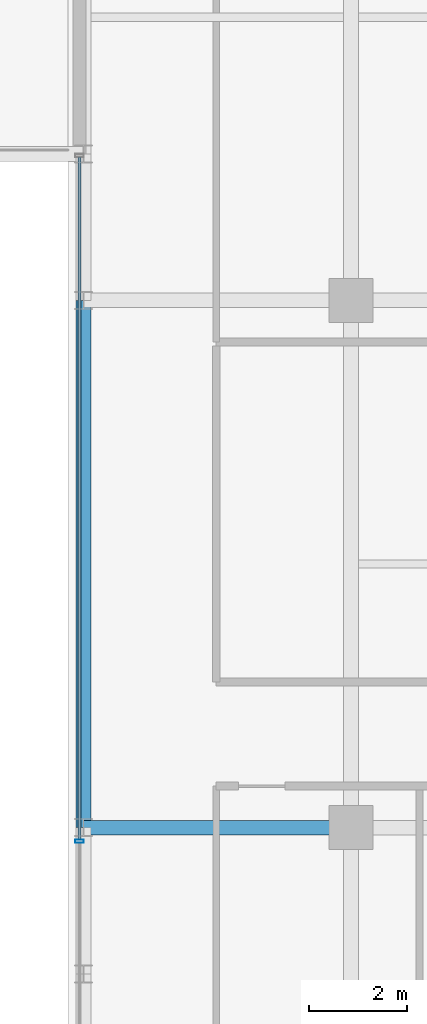
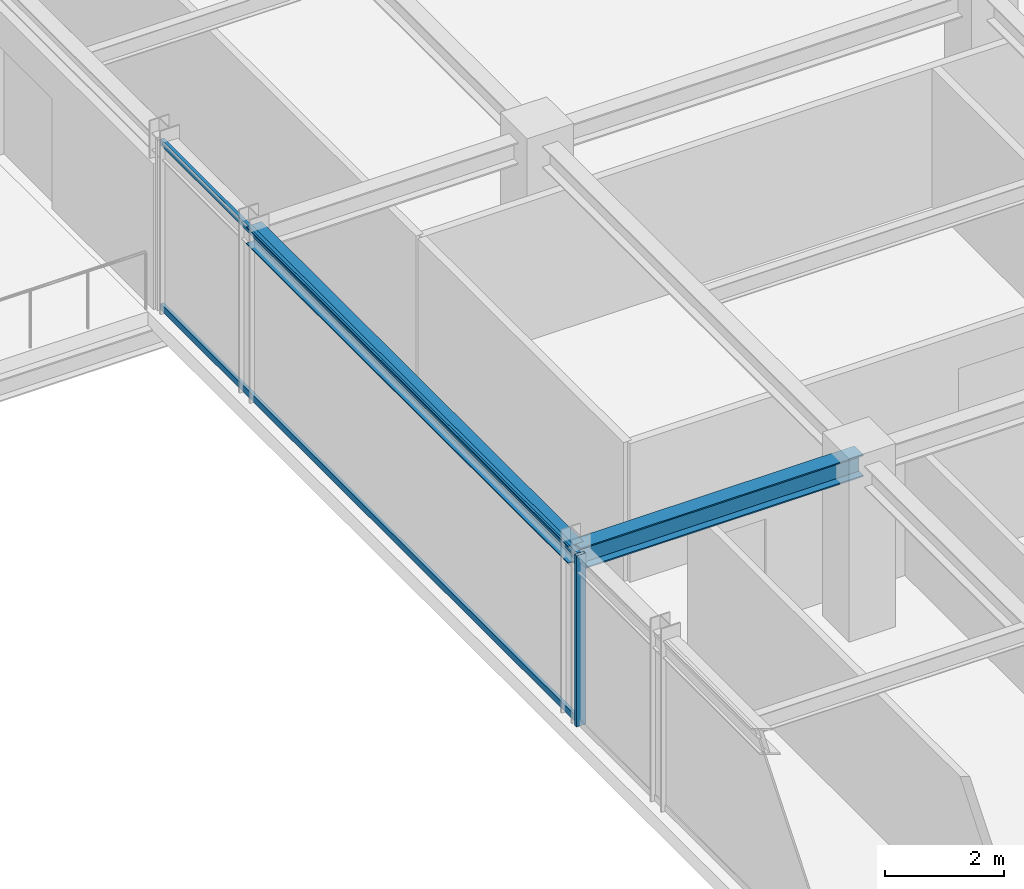
# One storey, part 8 of 36: 3 members, 2 beams, 1 element without a shape of its own.
"""IFC4 building model written with IfcOpenShell, lengths in metres."""

from ifc_helpers import new_model, si_unit, direction, frame, origin, origin_2d, place, context, subcontext, project, spatial, hollow_rectangle, i_section, extrude, source, transform, mapped, material, material_profile, profile_set, type_object, element, aggregate, save


model = new_model("IFC4")

# Units and contexts
model_context = context("Model", 3, precision=1e-05, world=origin(), true_north=direction((0.0, 1.0)))
body_context = subcontext(model_context, "Body", "Model", "MODEL_VIEW")
ifc_project = project(units=[si_unit("LENGTHUNIT", "METRE"), si_unit("AREAUNIT", "SQUARE_METRE"), si_unit("VOLUMEUNIT", "CUBIC_METRE"), si_unit("PLANEANGLEUNIT", "RADIAN"), si_unit("MASSUNIT", "GRAM", prefix="KILO")], contexts=[model_context])

# Site, building, storey
site_placement = place(None, origin())
site = spatial("IfcSite", under=ifc_project, at=site_placement, CompositionType="ELEMENT")
building_placement = place(site_placement, origin())
building = spatial("IfcBuilding", under=site, at=building_placement, Name="Nahalor Promenade Grand Hotel", CompositionType="ELEMENT")
storey_placement = place(building_placement, frame((0.0, 0.0, 319.550048828125)))
storey = spatial("IfcBuildingStorey", under=building, at=storey_placement, Name="L82", CompositionType="ELEMENT", Elevation=319.550048828125)

# Beams
ifc_material_1 = material(Name="Steel S355JR", Category="steel")
ifc_material_profile_1 = material_profile(ifc_material_1, i_section(OverallWidth=0.3, OverallDepth=0.45, WebThickness=0.014, FlangeThickness=0.026, at=origin_2d()), Name="HEB 450")
ifc_profile_set_1 = profile_set([ifc_material_profile_1], Name="Steel S355JR")
beam_type_1 = type_object("IfcBeamType", Name="Beam-Girder-HEB450", PredefinedType="BEAM", material=ifc_profile_set_1)
shared_shape_1 = source(origin(), body_context, "Body", "SweptSolid", [
    extrude(i_section(OverallWidth=0.3, OverallDepth=0.45, WebThickness=0.014, FlangeThickness=0.026, at=origin_2d()), origin(), (0.0, 0.0, 1.0), 5.47998046875),
])
beam_1_placement = place(storey_placement, frame((-22.47998046875, -5.39990234375, 3.27490234375), z_axis=(1.0, 0.0, 0.0), x_axis=(0.0, 1.0, 0.0)))
element("IfcBeam", 1, at=beam_1_placement, inside=storey, type_object=beam_type_1, Name="BM-L82-GX-1-0", PredefinedType="BEAM", context=body_context, shape_type="MappedRepresentation", body=[
    mapped(shared_shape_1, transform((0.0, 0.0, 0.0), scale=1.0)),
])
ifc_material_profile_2 = material_profile(ifc_material_1, i_section(OverallWidth=0.3, OverallDepth=0.36, WebThickness=0.0125, FlangeThickness=0.0225, at=origin_2d()), Name="HEB 360")
ifc_profile_set_2 = profile_set([ifc_material_profile_2], Name="Steel S355JR")
beam_type_2 = type_object("IfcBeamType", Name="Beam-Spandrel-HEB360", PredefinedType="SPANDREL", material=ifc_profile_set_2)
shared_shape_2 = source(origin(), body_context, "Body", "SweptSolid", [
    extrude(i_section(OverallWidth=0.3, OverallDepth=0.36, WebThickness=0.0125, FlangeThickness=0.0225, at=origin_2d()), origin(), (0.0, 0.0, 1.0), 10.7998046875),
])
beam_2_placement = place(storey_placement, frame((-22.47998046875, -5.39990234375, 3.320068359375), z_axis=(0.0, 1.0, 0.0), x_axis=(-1.0, 0.0, 0.0)))
element("IfcBeam", 2, at=beam_2_placement, inside=storey, type_object=beam_type_2, Name="BM-L82-SP-W-2", PredefinedType="SPANDREL", context=body_context, shape_type="MappedRepresentation", body=[
    mapped(shared_shape_2, transform((0.0, 0.0, 0.0), scale=1.0)),
])

# Curtain wall, members
ifc_material_2 = material(Name="Anodised Bronze Aluminium EN AW-6063 T6", Category="aluminium")
curtain_wall_type = type_object("IfcCurtainWallType", Name="CW2 Typical Hotel Flush Bronze Unitised Curtain Wall", PredefinedType="USERDEFINED", material=ifc_material_2)
curtain_wall_placement = place(storey_placement, origin())
curtain_wall = element("IfcCurtainWall", 3, at=curtain_wall_placement, inside=storey, type_object=curtain_wall_type, Name="L82 Curtain Wall CW-L82-W-1", ObjectType="UNITISED_CURTAIN_WALL", PredefinedType="USERDEFINED")
ifc_material_profile_3 = material_profile(ifc_material_2, hollow_rectangle(XDim=0.065, YDim=0.13, WallThickness=0.004, at=origin_2d()), Name="CWT 65x130x4")
ifc_profile_set_3 = profile_set([ifc_material_profile_3], Name="Anodised Bronze Aluminium EN AW-6063 T6")
member_type_1 = type_object("IfcMemberType", Name="CWT2 Typical Bronze Transom 65x130", PredefinedType="USERDEFINED", material=ifc_profile_set_3)
shared_shape_3 = source(origin(), body_context, "Body", "SweptSolid", [
    extrude(hollow_rectangle(XDim=0.065, YDim=0.13, WallThickness=0.004, at=origin_2d()), origin(), (0.0, 0.0, 1.0), 13.982421875),
])
member_1_placement = place(storey_placement, frame((-22.56005859375, -5.6474609375, 0.06494140625), z_axis=(0.0, 1.0, 0.0), x_axis=(-1.0, 0.0, 0.0)))
member_1 = element("IfcMember", 4, at=member_1_placement, type_object=member_type_1, Name="CW-L82-W-1 Transom 1-0", ObjectType="TRANSOM", PredefinedType="USERDEFINED", context=body_context, shape_type="MappedRepresentation", body=[
    mapped(shared_shape_3, transform((0.0, 0.0, 0.0), scale=1.0)),
])
member_2_placement = place(storey_placement, frame((-22.56005859375, -5.6474609375, 3.43505859375), z_axis=(0.0, 1.0, 0.0), x_axis=(-1.0, 0.0, 0.0)))
member_2 = element("IfcMember", 5, at=member_2_placement, type_object=member_type_1, Name="CW-L82-W-1 Transom 1-1", ObjectType="TRANSOM", PredefinedType="USERDEFINED", context=body_context, shape_type="MappedRepresentation", body=[
    mapped(shared_shape_3, transform((0.0, 0.0, 0.0), scale=1.0)),
])
ifc_material_profile_4 = material_profile(ifc_material_2, hollow_rectangle(XDim=0.065, YDim=0.18, WallThickness=0.004, at=origin_2d()), Name="CWM 65x180x4")
ifc_profile_set_4 = profile_set([ifc_material_profile_4], Name="Anodised Bronze Aluminium EN AW-6063 T6")
member_type_2 = type_object("IfcMemberType", Name="CWM2 Typical Bronze Mullion 65x180", PredefinedType="MULLION", material=ifc_profile_set_4)
shared_shape_4 = source(origin(), body_context, "Body", "SweptSolid", [
    extrude(hollow_rectangle(XDim=0.065, YDim=0.18, WallThickness=0.004, at=origin_2d()), origin(), (0.0, 0.0, 1.0), 3.5),
])
member_3_placement = place(storey_placement, frame((-22.56005859375, -5.679931640625, 0.0), z_axis=(0.0, 0.0, 1.0), x_axis=(0.0, 1.0, 0.0)))
member_3 = element("IfcMember", 6, at=member_3_placement, type_object=member_type_2, Name="CW-L82-W-1 Mullion 1", PredefinedType="MULLION", context=body_context, shape_type="MappedRepresentation", body=[
    mapped(shared_shape_4, transform((0.0, 0.0, 0.0), scale=1.0)),
])
aggregate(curtain_wall, [member_3, member_1, member_2])

save(model, "model.ifc")
